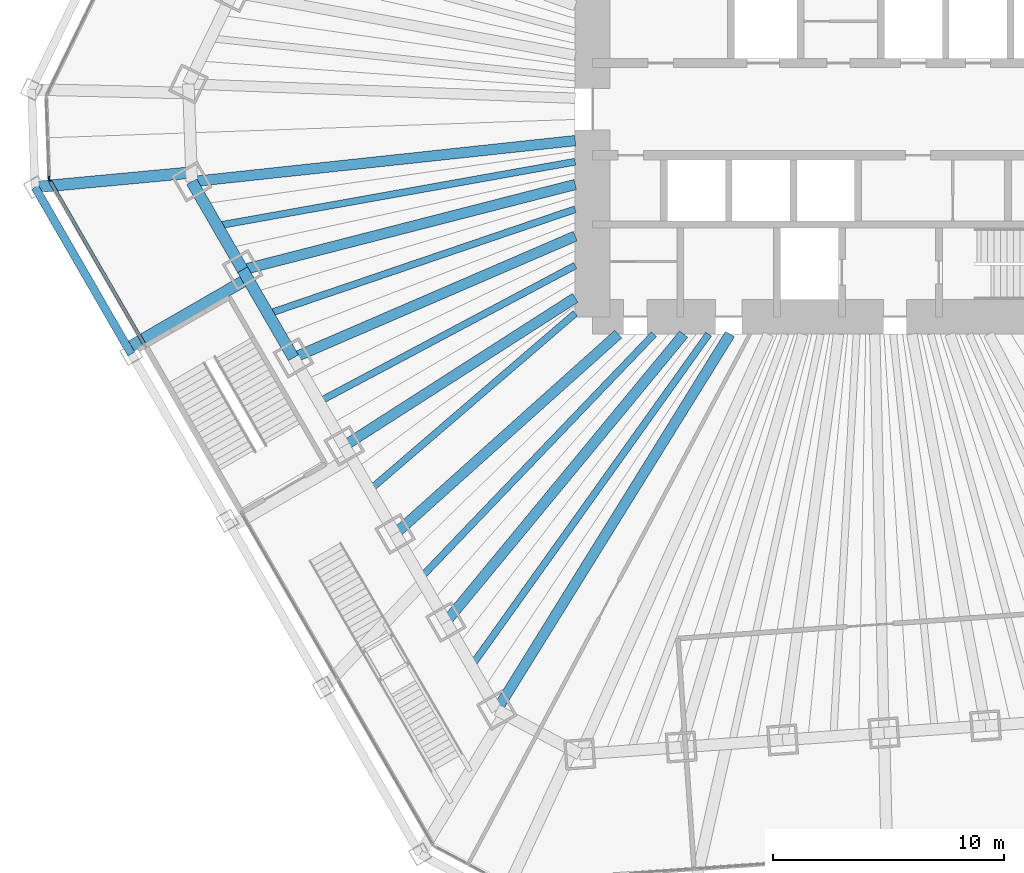
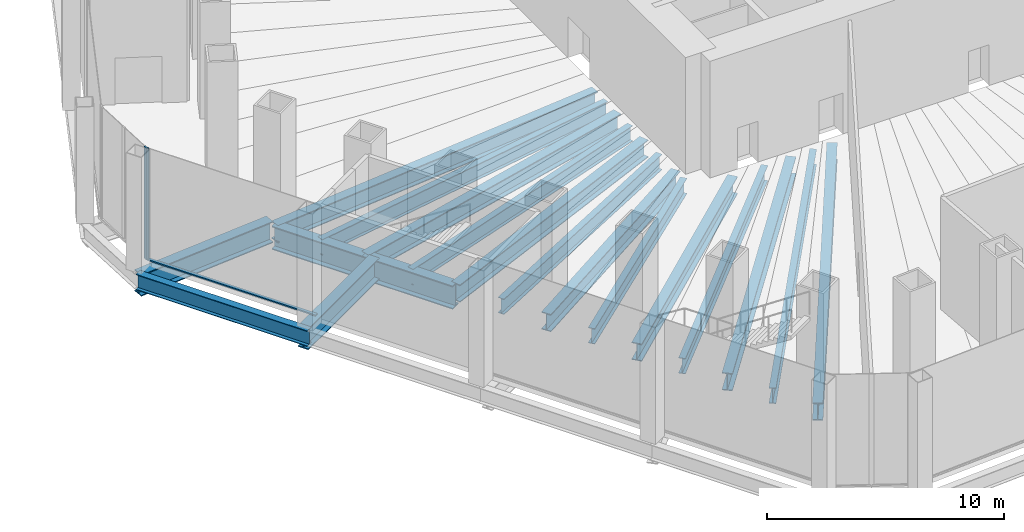
# One storey, part 6 of 23: 18 beams, 3 members, 2 elements without a shape of their own.
"""IFC4 building model written with IfcOpenShell, lengths in metres."""

from ifc_helpers import new_model, si_unit, direction, frame, origin, origin_2d, place, context, subcontext, project, spatial, rectangle, i_section, extrude, material, material_profile, profile_set, type_object, element, aggregate, save


model = new_model("IFC4")

# Units and contexts
model_context = context("Model", 3, precision=1e-05, world=origin(), true_north=direction((0.0, 1.0)))
body_context = subcontext(model_context, "Body", "Model", "MODEL_VIEW")
ifc_project = project(units=[si_unit("LENGTHUNIT", "METRE"), si_unit("AREAUNIT", "SQUARE_METRE"), si_unit("VOLUMEUNIT", "CUBIC_METRE"), si_unit("PLANEANGLEUNIT", "RADIAN"), si_unit("MASSUNIT", "GRAM", prefix="KILO")], contexts=[model_context])

# Site, building, storey
site_placement = place(None, origin())
site = spatial("IfcSite", under=ifc_project, at=site_placement, CompositionType="ELEMENT")
building_placement = place(site_placement, origin())
building = spatial("IfcBuilding", under=site, at=building_placement, Name="Qingtian Harvest Tower", CompositionType="ELEMENT")
storey_placement = place(building_placement, frame((0.0, 0.0, 6.0)))
storey = spatial("IfcBuildingStorey", under=building, at=storey_placement, Name="L01", CompositionType="ELEMENT", Elevation=6.0)

# Beams
ifc_material_1 = material(Name="Steel SM570MC", Category="steel")
ifc_material_profile_1 = material_profile(ifc_material_1, i_section(OverallWidth=0.449951171875, OverallDepth=0.89990234375, WebThickness=0.02197265625, FlangeThickness=0.044921875, at=origin_2d()), Name="H900x450x22x45")
ifc_profile_set_1 = profile_set([ifc_material_profile_1], Name="Steel SM570MC")
beam_type_1 = type_object("IfcBeamType", Name="Floor beam FB5 H900x450x22x45", PredefinedType="BEAM", material=ifc_profile_set_1)
beam_1_placement = place(storey_placement, frame((-16.14697265625, -26.03271484375, -0.699951171875), z_axis=(0.5270935495, 0.849807266429, 0.0), x_axis=(-0.849807266429, 0.5270935495, 0.0)))
element("IfcBeam", 1, at=beam_1_placement, inside=storey, type_object=beam_type_1, Name="Floor beam FB5 SW0", PredefinedType="BEAM", context=body_context, shape_type="SweptSolid", body=[
    extrude(i_section(OverallWidth=0.449951171875, OverallDepth=0.89990234375, WebThickness=0.02197265625, FlangeThickness=0.044921875, at=origin_2d()), origin(), (0.0, 0.0, 1.0), 19.160400390625),
])
beam_2_placement = place(storey_placement, frame((-18.349365234375, -22.21826171875, -0.699951171875), z_axis=(0.636780387972, 0.771045224026, 0.0), x_axis=(-0.771045224026, 0.636780387972, 0.0)))
element("IfcBeam", 2, at=beam_2_placement, inside=storey, type_object=beam_type_1, Name="Floor beam FB5 SW1", PredefinedType="BEAM", context=body_context, shape_type="SweptSolid", body=[
    extrude(i_section(OverallWidth=0.449951171875, OverallDepth=0.89990234375, WebThickness=0.02197265625, FlangeThickness=0.044921875, at=origin_2d()), origin(), (0.0, 0.0, 1.0), 16.170654296875),
])
beam_3_placement = place(storey_placement, frame((-20.551513671875, -18.403564453125, -0.699951171875), z_axis=(0.744965104975, 0.667103434536, 0.0), x_axis=(-0.667103434536, 0.744965104975, 0.0)))
element("IfcBeam", 3, at=beam_3_placement, inside=storey, type_object=beam_type_1, Name="Floor beam FB5 SW2", PredefinedType="BEAM", context=body_context, shape_type="SweptSolid", body=[
    extrude(i_section(OverallWidth=0.449951171875, OverallDepth=0.89990234375, WebThickness=0.02197265625, FlangeThickness=0.044921875, at=origin_2d()), origin(), (0.0, 0.0, 1.0), 12.971923828125),
])
beam_4_placement = place(storey_placement, frame((-22.75390625, -14.589111328125, -0.699951171875), z_axis=(0.841829353865, 0.539743771591, 0.0), x_axis=(-0.539743771591, 0.841829353865, 0.0)))
element("IfcBeam", 4, at=beam_4_placement, inside=storey, type_object=beam_type_1, Name="Floor beam FB5 SW3", PredefinedType="BEAM", context=body_context, shape_type="SweptSolid", body=[
    extrude(i_section(OverallWidth=0.449951171875, OverallDepth=0.89990234375, WebThickness=0.02197265625, FlangeThickness=0.044921875, at=origin_2d()), origin(), (0.0, 0.0, 1.0), 11.883544921875),
])
beam_5_placement = place(storey_placement, frame((-24.9560546875, -10.774658203125, -0.699951171875), z_axis=(0.918083617325, 0.396386770213, 0.0), x_axis=(-0.396386770213, 0.918083617325, 0.0)))
element("IfcBeam", 5, at=beam_5_placement, inside=storey, type_object=beam_type_1, Name="Floor beam FB5 SW4", PredefinedType="BEAM", context=body_context, shape_type="SweptSolid", body=[
    extrude(i_section(OverallWidth=0.449951171875, OverallDepth=0.89990234375, WebThickness=0.02197265625, FlangeThickness=0.044921875, at=origin_2d()), origin(), (0.0, 0.0, 1.0), 13.295166015625),
])
beam_6_placement = place(storey_placement, frame((-27.158447265625, -6.960205078125, -0.699951171875), z_axis=(0.968693729942, 0.248258851947, 0.0), x_axis=(-0.248258851947, 0.968693729942, 0.0)))
element("IfcBeam", 6, at=beam_6_placement, inside=storey, type_object=beam_type_1, Name="Floor beam FB5 SW5", PredefinedType="BEAM", context=body_context, shape_type="SweptSolid", body=[
    extrude(i_section(OverallWidth=0.449951171875, OverallDepth=0.89990234375, WebThickness=0.02197265625, FlangeThickness=0.044921875, at=origin_2d()), origin(), (0.0, 0.0, 1.0), 14.8740234375),
])
beam_7_placement = place(storey_placement, frame((-29.36083984375, -3.145751953125, -0.699951171875), z_axis=(0.994308822197, 0.106536219669, 0.0), x_axis=(-0.106536219669, 0.994308822197, 0.0)))
element("IfcBeam", 7, at=beam_7_placement, inside=storey, type_object=beam_type_1, Name="Floor beam FB5 SW6", PredefinedType="BEAM", context=body_context, shape_type="SweptSolid", body=[
    extrude(i_section(OverallWidth=0.449951171875, OverallDepth=0.89990234375, WebThickness=0.02197265625, FlangeThickness=0.044921875, at=origin_2d()), origin(), (0.0, 0.0, 1.0), 16.705810546875),
])
ifc_material_2 = material(Name="Steel SM570MC", Category="steel")
ifc_material_profile_2 = material_profile(ifc_material_2, i_section(OverallWidth=0.5, OverallDepth=1.10009765625, WebThickness=0.02490234375, FlangeThickness=0.050048828125, at=origin_2d()), Name="H1100x500x25x50")
ifc_profile_set_2 = profile_set([ifc_material_profile_2], Name="Steel SM570MC")
beam_type_2 = type_object("IfcBeamType", Name="Floor beam FB6 H1100x500x25x50", PredefinedType="BEAM", material=ifc_profile_set_2)
beam_8_placement = place(storey_placement, frame((-32.131103515625, -10.34716796875, -0.800048828125), z_axis=(0.866020924479, 0.500007758305, 0.0), x_axis=(-0.500007758305, 0.866020924479, 0.0)))
element("IfcBeam", 8, at=beam_8_placement, inside=storey, type_object=beam_type_2, Name="Podium floor beam FB6 SW3", PredefinedType="BEAM", context=body_context, shape_type="SweptSolid", body=[
    extrude(i_section(OverallWidth=0.5, OverallDepth=1.10009765625, WebThickness=0.02490234375, FlangeThickness=0.050048828125, at=origin_2d()), origin(), (0.0, 0.0, 1.0), 6.0),
])
beam_9_placement = place(storey_placement, frame((-36.152099609375, -3.3828125, -0.800048828125), z_axis=(0.995649523879, 0.093177387812, 0.0), x_axis=(-0.093177387812, 0.995649523879, 0.0)))
element("IfcBeam", 9, at=beam_9_placement, inside=storey, type_object=beam_type_2, Name="Podium floor beam FB6 SW4", PredefinedType="BEAM", context=body_context, shape_type="SweptSolid", body=[
    extrude(i_section(OverallWidth=0.5, OverallDepth=1.10009765625, WebThickness=0.02490234375, FlangeThickness=0.050048828125, at=origin_2d()), origin(), (0.0, 0.0, 1.0), 6.80712890625),
])
ifc_material_3 = material(Name="Steel SN490B", Category="steel")
ifc_material_profile_3 = material_profile(ifc_material_3, i_section(OverallWidth=0.300048828125, OverallDepth=0.800048828125, WebThickness=0.013916015625, FlangeThickness=0.02587890625, at=origin_2d()), Name="H800x300x14x26")
ifc_profile_set_3 = profile_set([ifc_material_profile_3], Name="Steel SN490B")
beam_type_3 = type_object("IfcBeamType", Name="Floor joist J1 H800x300x14x26", PredefinedType="JOIST", material=ifc_profile_set_3)
beam_10_placement = place(storey_placement, frame((-17.248046875, -24.12548828125, -0.64990234375), z_axis=(0.581580544546, 0.81348882611, 0.0), x_axis=(-0.81348882611, 0.581580544546, 0.0)))
element("IfcBeam", 10, at=beam_10_placement, inside=storey, type_object=beam_type_3, Name="Floor joist J1 SW0", PredefinedType="JOIST", context=body_context, shape_type="SweptSolid", body=[
    extrude(i_section(OverallWidth=0.300048828125, OverallDepth=0.800048828125, WebThickness=0.013916015625, FlangeThickness=0.02587890625, at=origin_2d()), origin(), (0.0, 0.0, 1.0), 17.67138671875),
])
beam_11_placement = place(storey_placement, frame((-19.450439453125, -20.31103515625, -0.64990234375), z_axis=(0.691639144398, 0.722243237377, 0.0), x_axis=(-0.722243237377, 0.691639144398, 0.0)))
element("IfcBeam", 11, at=beam_11_placement, inside=storey, type_object=beam_type_3, Name="Floor joist J1 SW1", PredefinedType="JOIST", context=body_context, shape_type="SweptSolid", body=[
    extrude(i_section(OverallWidth=0.300048828125, OverallDepth=0.800048828125, WebThickness=0.013916015625, FlangeThickness=0.02587890625, at=origin_2d()), origin(), (0.0, 0.0, 1.0), 14.62255859375),
])
beam_12_placement = place(storey_placement, frame((-21.652587890625, -16.496337890625, -0.64990234375), z_axis=(0.758605680154, 0.651550014994, 0.0), x_axis=(-0.651550014994, 0.758605680154, 0.0)))
element("IfcBeam", 12, at=beam_12_placement, inside=storey, type_object=beam_type_3, Name="Floor joist J1 SW2", PredefinedType="JOIST", context=body_context, shape_type="SweptSolid", body=[
    extrude(i_section(OverallWidth=0.300048828125, OverallDepth=0.800048828125, WebThickness=0.013916015625, FlangeThickness=0.02587890625, at=origin_2d()), origin(), (0.0, 0.0, 1.0), 11.7353515625),
])
beam_13_placement = place(storey_placement, frame((-23.85498046875, -12.681884765625, -0.64990234375), z_axis=(0.882982474604, 0.469405953885, 0.0), x_axis=(-0.469405953885, 0.882982474604, 0.0)))
element("IfcBeam", 13, at=beam_13_placement, inside=storey, type_object=beam_type_3, Name="Floor joist J1 SW3", PredefinedType="JOIST", context=body_context, shape_type="SweptSolid", body=[
    extrude(i_section(OverallWidth=0.300048828125, OverallDepth=0.800048828125, WebThickness=0.013916015625, FlangeThickness=0.02587890625, at=origin_2d()), origin(), (0.0, 0.0, 1.0), 12.57666015625),
])
beam_14_placement = place(storey_placement, frame((-26.057373046875, -8.867431640625, -0.64990234375), z_axis=(0.946684735425, 0.322161468387, 0.0), x_axis=(-0.322161468387, 0.946684735425, 0.0)))
element("IfcBeam", 14, at=beam_14_placement, inside=storey, type_object=beam_type_3, Name="Floor joist J1 SW4", PredefinedType="JOIST", context=body_context, shape_type="SweptSolid", body=[
    extrude(i_section(OverallWidth=0.300048828125, OverallDepth=0.800048828125, WebThickness=0.013916015625, FlangeThickness=0.02587890625, at=origin_2d()), origin(), (0.0, 0.0, 1.0), 14.056884765625),
])
beam_15_placement = place(storey_placement, frame((-28.259521484375, -5.052978515625, -0.64990234375), z_axis=(0.984387614034, 0.176014275943, 0.0), x_axis=(-0.176014275943, 0.984387614034, 0.0)))
element("IfcBeam", 15, at=beam_15_placement, inside=storey, type_object=beam_type_3, Name="Floor joist J1 SW5", PredefinedType="JOIST", context=body_context, shape_type="SweptSolid", body=[
    extrude(i_section(OverallWidth=0.300048828125, OverallDepth=0.800048828125, WebThickness=0.013916015625, FlangeThickness=0.02587890625, at=origin_2d()), origin(), (0.0, 0.0, 1.0), 15.755615234375),
])

# Curtain wall, member
ifc_material_4 = material(Name="Bronze-anodised aluminium curtain wall", Category="aluminium")
curtain_wall_type = type_object("IfcCurtainWallType", Name="Curtain wall CW1 podium shopfront", PredefinedType="USERDEFINED", material=ifc_material_4)
curtain_wall_1_placement = place(storey_placement, origin())
curtain_wall_1 = element("IfcCurtainWall", 16, at=curtain_wall_1_placement, inside=storey, type_object=curtain_wall_type, Name="Curtain wall CW1 L01 SW3", ObjectType="RECESSED CURTAIN WALL", PredefinedType="USERDEFINED")
ifc_material_5 = material(Name="Bronze-anodised aluminium mullion", Category="aluminium")
ifc_material_profile_4 = material_profile(ifc_material_5, rectangle(XDim=0.06494140625, YDim=0.199951171875, at=origin_2d()), Name="AL 65x200")
ifc_profile_set_4 = profile_set([ifc_material_profile_4], Name="Bronze-anodised aluminium mullion")
member_type_1 = type_object("IfcMemberType", Name="Mullion CWM 65x200", PredefinedType="MULLION", material=ifc_profile_set_4)
member_1_placement = place(storey_placement, frame((-35.529541015625, -3.06103515625, 0.0), z_axis=(0.0, 0.0, 1.0), x_axis=(-0.866025403784, -0.5, 0.0)))
member_1 = element("IfcMember", 17, at=member_1_placement, type_object=member_type_1, Name="CW1 mullion 2", PredefinedType="MULLION", context=body_context, shape_type="SweptSolid", body=[
    extrude(rectangle(XDim=0.06494140625, YDim=0.199951171875, at=origin_2d()), origin(), (0.0, 0.0, 1.0), 5.75),
])

curtain_wall_2_placement = place(storey_placement, origin())
curtain_wall_2 = element("IfcCurtainWall", 18, at=curtain_wall_2_placement, inside=storey, type_object=curtain_wall_type, Name="Curtain wall CW1 L01 SWC", ObjectType="RECESSED CURTAIN WALL", PredefinedType="USERDEFINED")
member_2_placement = place(storey_placement, frame((-35.546875, -3.000244140625, 0.0), z_axis=(0.0, 0.0, 1.0), x_axis=(-0.999390827019, -0.034899496703, 0.0)))
member_2 = element("IfcMember", 19, at=member_2_placement, type_object=member_type_1, Name="CW1 mullion 1", PredefinedType="MULLION", context=body_context, shape_type="SweptSolid", body=[
    extrude(rectangle(XDim=0.06494140625, YDim=0.199951171875, at=origin_2d()), origin(), (0.0, 0.0, 1.0), 5.75),
])
aggregate(curtain_wall_2, [member_2])

# Beams
ifc_material_6 = material(Name="Steel SN490B", Category="steel")
ifc_material_profile_5 = material_profile(ifc_material_6, i_section(OverallWidth=0.35009765625, OverallDepth=0.800048828125, WebThickness=0.01611328125, FlangeThickness=0.028076171875, at=origin_2d()), Name="H800x350x16x28")
ifc_profile_set_5 = profile_set([ifc_material_profile_5], Name="Steel SN490B")
beam_type_4 = type_object("IfcBeamType", Name="Podium beam PB1 H800x350x16x28", PredefinedType="BEAM", material=ifc_profile_set_5)
beam_16_placement = place(storey_placement, frame((-31.981201171875, -10.60693359375, -0.64990234375), z_axis=(-0.500004511595, 0.866022798998, 0.0), x_axis=(-0.866022798998, -0.500004511595, 0.0)))
element("IfcBeam", 20, at=beam_16_placement, inside=storey, type_object=beam_type_4, Name="Podium edge beam PB1 SW3", PredefinedType="BEAM", context=body_context, shape_type="SweptSolid", body=[
    extrude(i_section(OverallWidth=0.35009765625, OverallDepth=0.800048828125, WebThickness=0.01611328125, FlangeThickness=0.028076171875, at=origin_2d()), origin(), (0.0, 0.0, 1.0), 8.341796875),
])
ifc_material_7 = material(Name="Steel SM570MC", Category="steel")
ifc_material_profile_6 = material_profile(ifc_material_7, i_section(OverallWidth=0.5, OverallDepth=1.199951171875, WebThickness=0.02490234375, FlangeThickness=0.050048828125, at=origin_2d()), Name="H1200x500x25x50")
ifc_profile_set_6 = profile_set([ifc_material_profile_6], Name="Steel SM570MC")
beam_type_5 = type_object("IfcBeamType", Name="Spandrel beam SB1 H1200x500x25x50", PredefinedType="SPANDREL", material=ifc_profile_set_6)
for number, where, z_axis, x_axis, name in (
    (21, (-24.9560546875, -10.774658203125, -0.85009765625), (-0.50001992892, 0.866013897511, 0.0), (-0.866013897511, -0.50001992892, 0.0), "Spandrel SB1 SW4"),
    (22, (-27.158447265625, -6.960205078125, -0.85009765625), (-0.50001992892, 0.866013897511, 0.0), (-0.866013897511, -0.50001992892, 0.0), "Spandrel SB1 SW5"),
):
    element("IfcBeam", number, at=place(storey_placement, frame(where, z_axis=z_axis, x_axis=x_axis)), inside=storey, type_object=beam_type_5, Name=name, PredefinedType="SPANDREL", context=body_context, shape_type="SweptSolid", body=[
        extrude(i_section(OverallWidth=0.5, OverallDepth=1.199951171875, WebThickness=0.02490234375, FlangeThickness=0.050048828125, at=origin_2d()), origin(), (0.0, 0.0, 1.0), 4.404541015625),
    ])

# Member
ifc_material_8 = material(Name="Bronze-anodised aluminium transom", Category="aluminium")
ifc_material_profile_7 = material_profile(ifc_material_8, rectangle(XDim=0.14990234375, YDim=0.06494140625, at=origin_2d()), Name="AL 65x150")
ifc_profile_set_7 = profile_set([ifc_material_profile_7], Name="Bronze-anodised aluminium transom")
member_type_2 = type_object("IfcMemberType", Name="Transom CWT 65x150", PredefinedType="USERDEFINED", material=ifc_profile_set_7)
member_3_placement = place(storey_placement, frame((-31.407470703125, -10.20068359375, 0.032470703125), z_axis=(-0.500008116609, 0.866020717607, 0.0), x_axis=(-0.866020717607, -0.500008116609, 0.0)))
member_3 = element("IfcMember", 23, at=member_3_placement, type_object=member_type_2, Name="CW1 transom 1.1", ObjectType="TRANSOM", PredefinedType="USERDEFINED", context=body_context, shape_type="SweptSolid", body=[
    extrude(rectangle(XDim=0.14990234375, YDim=0.06494140625, at=origin_2d()), origin(), (0.0, 0.0, 1.0), 8.211669921875),
])

aggregate(curtain_wall_1, [member_1, member_3])

save(model, "model.ifc")
